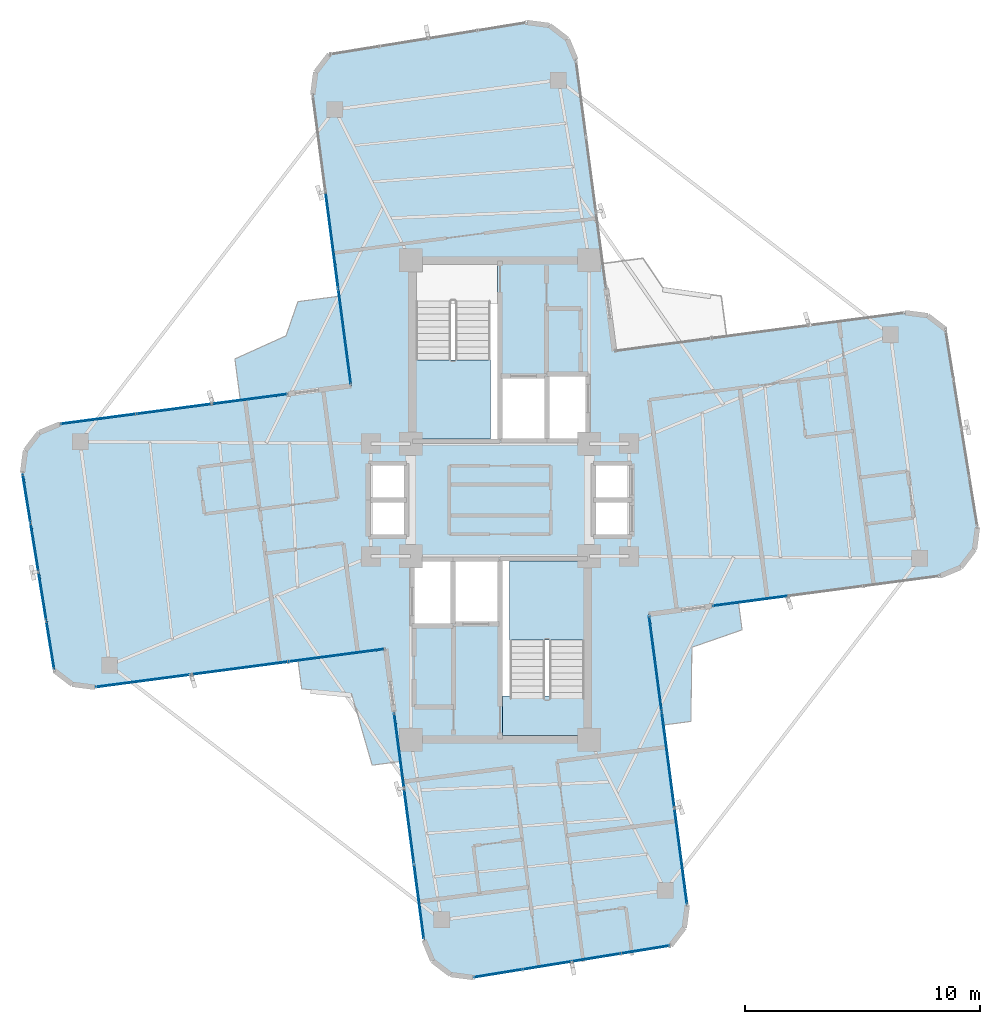
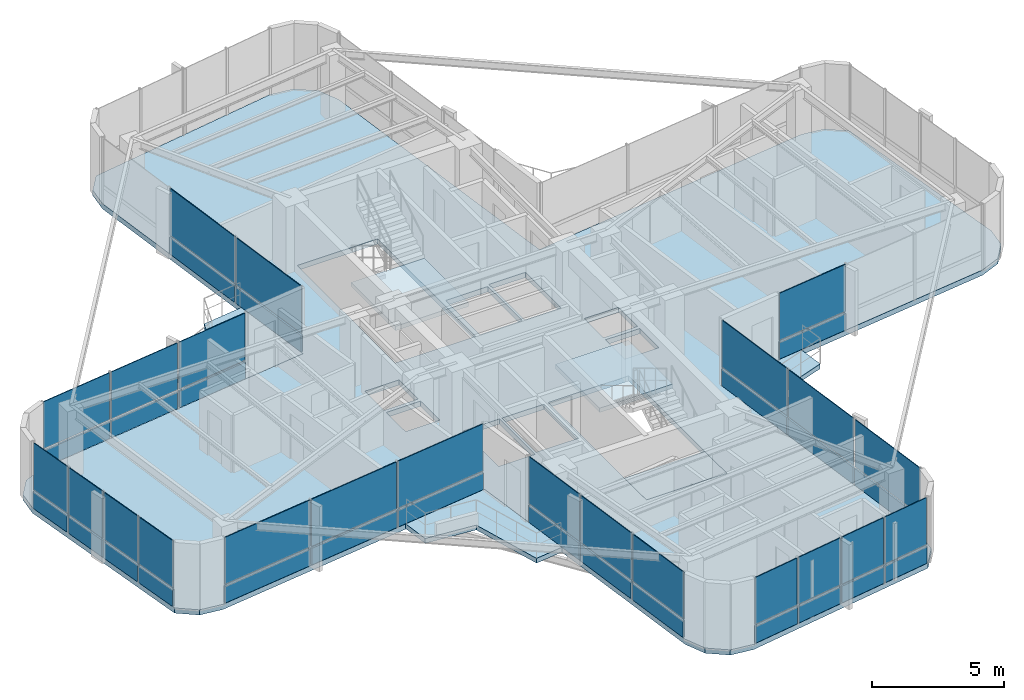
# One storey, part 16 of 21: 46 plates, 7 slabs, 10 elements without a shape of their own.
"""IFC4 building model written with IfcOpenShell, lengths in metres."""

from ifc_helpers import new_model, si_unit, direction, frame, origin, origin_2d, place, context, subcontext, project, spatial, polyline, rectangle, outline, extrude, source, transform, mapped, material, layer, layer_set, type_object, element, aggregate, save


model = new_model("IFC4")

# Units and contexts
model_context = context("Model", 3, precision=1e-05, world=origin(), true_north=direction((0.0, 1.0)))
body_context = subcontext(model_context, "Body", "Model", "MODEL_VIEW")
ifc_project = project(units=[si_unit("LENGTHUNIT", "METRE"), si_unit("AREAUNIT", "SQUARE_METRE"), si_unit("VOLUMEUNIT", "CUBIC_METRE"), si_unit("PLANEANGLEUNIT", "RADIAN"), si_unit("MASSUNIT", "GRAM", prefix="KILO")], contexts=[model_context])

# Site, building, storey
site_placement = place(None, origin())
site = spatial("IfcSite", under=ifc_project, at=site_placement, CompositionType="ELEMENT")
building_placement = place(site_placement, origin())
building = spatial("IfcBuilding", under=site, at=building_placement, Name="Sahyath Konkavel Grand Hotel", CompositionType="ELEMENT")
storey_placement = place(building_placement, frame((0.0, 0.0, 216.550048828125)))
storey = spatial("IfcBuildingStorey", under=building, at=storey_placement, Name="L60", CompositionType="ELEMENT", Elevation=216.550048828125)

# Slabs
ifc_material_1 = material(Name="Concrete C40/50", Category="concrete")
ifc_layer_1 = layer(ifc_material_1, 0.239990234375)
ifc_layer_set_1 = layer_set([ifc_layer_1], Name="Concrete C40/50")
slab_type_1 = type_object("IfcSlabType", Name="SLB-240", PredefinedType="FLOOR", material=ifc_layer_set_1)
slab_1_placement = place(storey_placement, frame((0.0, 0.0, -0.239990234375)))
element("IfcSlab", 1, at=slab_1_placement, inside=storey, type_object=slab_type_1, Name="L60 Structural Floor Slab", PredefinedType="FLOOR", context=body_context, shape_type="SweptSolid", body=[
    extrude(outline(polyline([(6.339111328125, -4.8642578125), (18.732177734375, -3.232666015625), (19.616943359375, -2.8662109375), (20.199951171875, -2.1064453125), (20.324951171875, -1.156982421875), (18.96630859375, 7.2626953125), (18.206787109375, 7.845703125), (17.25732421875, 7.970703125), (4.8642578125, 6.339111328125), (3.232666015625, 18.732177734375), (2.8662109375, 19.616943359375), (2.1064453125, 20.199951171875), (1.156982421875, 20.324951171875), (-7.2626953125, 18.96630859375), (-7.845703125, 18.206787109375), (-7.970703125, 17.25732421875), (-6.339111328125, 4.8642578125), (-18.732177734375, 3.232666015625), (-19.616943359375, 2.8662109375), (-20.199951171875, 2.1064453125), (-20.324951171875, 1.156982421875), (-18.96630859375, -7.2626953125), (-18.206787109375, -7.845703125), (-17.25732421875, -7.970703125), (-4.8642578125, -6.339111328125), (-3.232666015625, -18.732177734375), (-2.8662109375, -19.616943359375), (-2.1064453125, -20.199951171875), (-1.156982421875, -20.324951171875), (7.2626953125, -18.96630859375), (7.845703125, -18.206787109375), (7.970703125, -17.25732421875), (6.339111328125, -4.8642578125)]), holes=[polyline([(-3.6201171875, 2.580078125), (-0.10009765625, 2.580078125), (-0.10009765625, 10.02001953125), (-3.6201171875, 10.02001953125), (-3.6201171875, 2.580078125)]), polyline([(0.10009765625, -10.02001953125), (3.6201171875, -10.02001953125), (3.6201171875, -2.580078125), (0.10009765625, -2.580078125), (0.10009765625, -10.02001953125)]), polyline([(0.10009765625, 2.60009765625), (1.949951171875, 2.60009765625), (1.949951171875, 5.199951171875), (0.10009765625, 5.199951171875), (0.10009765625, 2.60009765625)]), polyline([(-1.949951171875, -5.199951171875), (-0.10009765625, -5.199951171875), (-0.10009765625, -2.60009765625), (-1.949951171875, -2.60009765625), (-1.949951171875, -5.199951171875)]), polyline([(2.050048828125, 2.60009765625), (3.64990234375, 2.60009765625), (3.64990234375, 5.300048828125), (2.050048828125, 5.300048828125), (2.050048828125, 2.60009765625)]), polyline([(-3.64990234375, -5.300048828125), (-2.050048828125, -5.300048828125), (-2.050048828125, -2.60009765625), (-3.64990234375, -2.60009765625), (-3.64990234375, -5.300048828125)]), polyline([(4.050048828125, 0.080078125), (5.550048828125, 0.080078125), (5.550048828125, 1.5400390625), (4.050048828125, 1.5400390625), (4.050048828125, 0.080078125)]), polyline([(4.050048828125, -1.5400390625), (5.550048828125, -1.5400390625), (5.550048828125, -0.080078125), (4.050048828125, -0.080078125), (4.050048828125, -1.5400390625)]), polyline([(-5.550048828125, 0.080078125), (-4.050048828125, 0.080078125), (-4.050048828125, 1.5400390625), (-5.550048828125, 1.5400390625), (-5.550048828125, 0.080078125)]), polyline([(-5.550048828125, -1.5400390625), (-4.050048828125, -1.5400390625), (-4.050048828125, -0.080078125), (-5.550048828125, -0.080078125), (-5.550048828125, -1.5400390625)])]), origin(), (0.0, 0.0, 1.0), 0.239990234375),
])
ifc_layer_2 = layer(ifc_material_1, 0.219970703125)
ifc_layer_set_2 = layer_set([ifc_layer_2], Name="Concrete C40/50")
slab_type_2 = type_object("IfcSlabType", Name="SLB-BALCONY-220", PredefinedType="FLOOR", material=ifc_layer_set_2)
slab_2_placement = place(storey_placement, frame((0.0, 0.0, -0.219970703125)))
element("IfcSlab", 2, at=slab_2_placement, inside=storey, type_object=slab_type_2, Name="L60 Winter-Garden Balcony NW", PredefinedType="FLOOR", context=body_context, shape_type="SweptSolid", body=[
    extrude(outline(polyline([(-6.339111328125, 4.8642578125), (-6.841064453125, 8.67626953125), (-8.602783203125, 8.4443359375), (-9.108154296875, 6.989013671875), (-11.285400390625, 6.00537109375), (-11.053466796875, 4.243408203125), (-6.339111328125, 4.8642578125)])), origin(), (0.0, 0.0, 1.0), 0.219970703125),
])
slab_3_placement = place(storey_placement, frame((0.0, 0.0, -0.219970703125)))
element("IfcSlab", 3, at=slab_3_placement, inside=storey, type_object=slab_type_2, Name="L60 Winter-Garden Balcony SW", PredefinedType="FLOOR", context=body_context, shape_type="SweptSolid", body=[
    extrude(outline(polyline([(-4.8642578125, -6.339111328125), (-8.60009765625, -6.8310546875), (-8.44091796875, -8.03955078125), (-6.32177734375, -8.238525390625), (-5.44189453125, -11.288818359375), (-4.2333984375, -11.1298828125), (-4.8642578125, -6.339111328125)])), origin(), (0.0, 0.0, 1.0), 0.219970703125),
])
slab_4_placement = place(storey_placement, frame((0.0, 0.0, -0.219970703125)))
element("IfcSlab", 4, at=slab_4_placement, inside=storey, type_object=slab_type_2, Name="L60 Winter-Garden Balcony SE", PredefinedType="FLOOR", context=body_context, shape_type="SweptSolid", body=[
    extrude(outline(polyline([(6.339111328125, -4.8642578125), (6.959716796875, -9.57861328125), (8.124755859375, -9.425048828125), (8.170166015625, -6.269287109375), (10.3046875, -5.52734375), (10.151123046875, -4.3623046875), (6.339111328125, -4.8642578125)])), origin(), (0.0, 0.0, 1.0), 0.219970703125),
])

# Stair, slab
stair_type = type_object("IfcStairType", Name="STR-ST16-335", PredefinedType="HALF_TURN_STAIR", material=ifc_material_1)
stair_1_placement = place(storey_placement, origin())
stair_1 = element("IfcStair", 5, at=stair_1_placement, inside=storey, type_object=stair_type, Name="L60 North Core Smokeproof Exit Stair ST-1", PredefinedType="HALF_TURN_STAIR")
ifc_layer_3 = layer(ifc_material_1, 0.199951171875)
ifc_layer_set_3 = layer_set([ifc_layer_3], Name="Concrete C40/50")
slab_type_3 = type_object("IfcSlabType", Name="SLB-STAIR-LND", PredefinedType="LANDING", material=ifc_layer_set_3)
slab_5_placement = place(storey_placement, frame((0.0, 0.0, 1.474853515625)))
slab_5 = element("IfcSlab", 6, at=slab_5_placement, type_object=slab_type_3, Name="ST-1 landing 1", PredefinedType="LANDING", context=body_context, shape_type="SweptSolid", body=[
    extrude(outline(polyline([(-3.60009765625, 5.9599609375), (-3.60009765625, 2.60009765625), (-0.39990234375, 2.60009765625), (-0.39990234375, 5.9599609375), (-3.60009765625, 5.9599609375)])), origin(), (0.0, 0.0, 1.0), 0.2001953125),
])
aggregate(stair_1, [slab_5])

stair_2_placement = place(storey_placement, origin())
stair_2 = element("IfcStair", 7, at=stair_2_placement, inside=storey, type_object=stair_type, Name="L60 South Core Smokeproof Exit Stair ST-2", PredefinedType="HALF_TURN_STAIR")
slab_6_placement = place(storey_placement, frame((0.0, 0.0, 1.474853515625)))
slab_6 = element("IfcSlab", 8, at=slab_6_placement, type_object=slab_type_3, Name="ST-2 landing 1", PredefinedType="LANDING", context=body_context, shape_type="SweptSolid", body=[
    extrude(outline(polyline([(3.60009765625, -5.9599609375), (3.60009765625, -2.60009765625), (0.39990234375, -2.60009765625), (0.39990234375, -5.9599609375), (3.60009765625, -5.9599609375)])), origin(), (0.0, 0.0, 1.0), 0.2001953125),
])
aggregate(stair_2, [slab_6])

# Slab
slab_7_placement = place(storey_placement, frame((0.0, 0.0, -0.199951171875)))
element("IfcSlab", 9, at=slab_7_placement, inside=storey, type_object=slab_type_3, Name="L60 Stair ST-2 Floor Landing Slab", PredefinedType="LANDING", context=body_context, shape_type="SweptSolid", body=[
    extrude(outline(polyline([(0.10009765625, -10.02001953125), (3.6201171875, -10.02001953125), (3.6201171875, -8.35009765625), (0.10009765625, -8.35009765625), (0.10009765625, -10.02001953125)])), origin(), (0.0, 0.0, 1.0), 0.199951171875),
])

# Curtain wall, plate
ifc_material_2 = material(Name="Anodised Bronze Aluminium & Low-E Glazing", Category="aluminium")
curtain_wall_type = type_object("IfcCurtainWallType", Name="CW-ZONE4", PredefinedType="NOTDEFINED", material=ifc_material_2)
curtain_wall_1_placement = place(storey_placement, origin())
curtain_wall_1 = element("IfcCurtainWall", 10, at=curtain_wall_1_placement, inside=storey, type_object=curtain_wall_type, Name="L60 Unitised Curtain Wall F0", PredefinedType="NOTDEFINED")
ifc_material_3 = material(Name="Warm Buff Sandstone Cladding", Category="masonry")
ifc_layer_4 = layer(ifc_material_3, 0.074951171875)
ifc_layer_set_4 = layer_set([ifc_layer_4], Name="Warm Buff Sandstone Cladding")
plate_type_1 = type_object("IfcPlateType", Name="PNL-SPANDREL-STONE", PredefinedType="SHEET", material=ifc_layer_set_4)
shared_shape_1 = source(origin(), body_context, "Body", "SweptSolid", [
    extrude(rectangle(XDim=3.159912109375, YDim=0.074951171875, at=origin_2d()), origin(), (0.0, 0.0, 1.0), 0.77001953125),
])
plate_1_placement = place(storey_placement, frame((10.661865234375, -4.295166015625, 0.0400390625), z_axis=(0.0, 0.0, 1.0), x_axis=(0.991444861374, 0.13052619222, 0.0)))
plate_1 = element("IfcPlate", 11, at=plate_1_placement, type_object=plate_type_1, Name="L60 Sandstone Relief Spandrel Panel F0-0", PredefinedType="SHEET", context=body_context, shape_type="MappedRepresentation", body=[
    mapped(shared_shape_1, transform((0.0, 0.0, 0.0), scale=1.0)),
])

# Curtain wall, plates
curtain_wall_2_placement = place(storey_placement, origin())
curtain_wall_2 = element("IfcCurtainWall", 12, at=curtain_wall_2_placement, inside=storey, type_object=curtain_wall_type, Name="L60 Unitised Curtain Wall F16", PredefinedType="NOTDEFINED")
plate_2_placement = place(storey_placement, frame((-10.661865234375, 4.295166015625, 0.0400390625), z_axis=(0.0, 0.0, 1.0), x_axis=(-0.991444861374, -0.13052619222, 0.0)))
plate_2 = element("IfcPlate", 13, at=plate_2_placement, type_object=plate_type_1, Name="L60 Sandstone Relief Spandrel Panel F16-0", PredefinedType="SHEET", context=body_context, shape_type="MappedRepresentation", body=[
    mapped(shared_shape_1, transform((0.0, 0.0, 0.0), scale=1.0)),
])
plate_3_placement = place(storey_placement, frame((-13.8740234375, 3.872314453125, 0.0400390625), z_axis=(0.0, 0.0, 1.0), x_axis=(-0.991444861374, -0.13052619222, 0.0)))
plate_3 = element("IfcPlate", 14, at=plate_3_placement, type_object=plate_type_1, Name="L60 Sandstone Relief Spandrel Panel F16-1", PredefinedType="SHEET", context=body_context, shape_type="MappedRepresentation", body=[
    mapped(shared_shape_1, transform((0.0, 0.0, 0.0), scale=1.0)),
])
plate_4_placement = place(storey_placement, frame((-17.086181640625, 3.44921875, 0.0400390625), z_axis=(0.0, 0.0, 1.0), x_axis=(-0.991444861374, -0.13052619222, 0.0)))
plate_4 = element("IfcPlate", 15, at=plate_4_placement, type_object=plate_type_1, Name="L60 Sandstone Relief Spandrel Panel F16-2", PredefinedType="SHEET", context=body_context, shape_type="MappedRepresentation", body=[
    mapped(shared_shape_1, transform((0.0, 0.0, 0.0), scale=1.0)),
])

curtain_wall_3_placement = place(storey_placement, origin())
curtain_wall_3 = element("IfcCurtainWall", 16, at=curtain_wall_3_placement, inside=storey, type_object=curtain_wall_type, Name="L60 Unitised Curtain Wall F24", PredefinedType="NOTDEFINED")
plate_5_placement = place(storey_placement, frame((-4.295166015625, -10.661865234375, 0.0400390625), z_axis=(0.0, 0.0, 1.0), x_axis=(0.13052619222, -0.991444861374, 0.0)))
plate_5 = element("IfcPlate", 17, at=plate_5_placement, type_object=plate_type_1, Name="L60 Sandstone Relief Spandrel Panel F24-0", PredefinedType="SHEET", context=body_context, shape_type="MappedRepresentation", body=[
    mapped(shared_shape_1, transform((0.0, 0.0, 0.0), scale=1.0)),
])
plate_6_placement = place(storey_placement, frame((-3.872314453125, -13.8740234375, 0.0400390625), z_axis=(0.0, 0.0, 1.0), x_axis=(0.13052619222, -0.991444861374, 0.0)))
plate_6 = element("IfcPlate", 18, at=plate_6_placement, type_object=plate_type_1, Name="L60 Sandstone Relief Spandrel Panel F24-1", PredefinedType="SHEET", context=body_context, shape_type="MappedRepresentation", body=[
    mapped(shared_shape_1, transform((0.0, 0.0, 0.0), scale=1.0)),
])
plate_7_placement = place(storey_placement, frame((-3.44921875, -17.086181640625, 0.0400390625), z_axis=(0.0, 0.0, 1.0), x_axis=(0.13052619222, -0.991444861374, 0.0)))
plate_7 = element("IfcPlate", 19, at=plate_7_placement, type_object=plate_type_1, Name="L60 Sandstone Relief Spandrel Panel F24-2", PredefinedType="SHEET", context=body_context, shape_type="MappedRepresentation", body=[
    mapped(shared_shape_1, transform((0.0, 0.0, 0.0), scale=1.0)),
])

# Plate
ifc_material_4 = material(Name="Low-E Solar Control Double Glazing", Category="glass")
ifc_layer_5 = layer(ifc_material_4, 0.035888671875)
ifc_layer_set_5 = layer_set([ifc_layer_5], Name="Low-E Solar Control Double Glazing")
plate_type_2 = type_object("IfcPlateType", Name="PNL-VISION-LOWE", PredefinedType="CURTAIN_PANEL", material=ifc_layer_set_5)
shared_shape_2 = source(origin(), body_context, "Body", "SweptSolid", [
    extrude(rectangle(XDim=3.159912109375, YDim=0.035888671875, at=origin_2d()), origin(), (0.0, 0.0, 1.0), 2.179931640625),
])
plate_8_placement = place(storey_placement, frame((10.661865234375, -4.295166015625, 0.89013671875), z_axis=(0.0, 0.0, 1.0), x_axis=(0.991444861374, 0.13052619222, 0.0)))
plate_8 = element("IfcPlate", 20, at=plate_8_placement, type_object=plate_type_2, Name="L60 Low-E Vision Glazing Panel F0-0", PredefinedType="CURTAIN_PANEL", context=body_context, shape_type="MappedRepresentation", body=[
    mapped(shared_shape_2, transform((0.0, 0.0, 0.0), scale=1.0)),
])

aggregate(curtain_wall_1, [plate_1, plate_8])

plate_9_placement = place(storey_placement, frame((-10.661865234375, 4.295166015625, 0.89013671875), z_axis=(0.0, 0.0, 1.0), x_axis=(-0.991444861374, -0.13052619222, 0.0)))
plate_9 = element("IfcPlate", 21, at=plate_9_placement, type_object=plate_type_2, Name="L60 Low-E Vision Glazing Panel F16-0", PredefinedType="CURTAIN_PANEL", context=body_context, shape_type="MappedRepresentation", body=[
    mapped(shared_shape_2, transform((0.0, 0.0, 0.0), scale=1.0)),
])

plate_10_placement = place(storey_placement, frame((-13.8740234375, 3.872314453125, 0.89013671875), z_axis=(0.0, 0.0, 1.0), x_axis=(-0.991444861374, -0.13052619222, 0.0)))
plate_10 = element("IfcPlate", 22, at=plate_10_placement, type_object=plate_type_2, Name="L60 Low-E Vision Glazing Panel F16-1", PredefinedType="CURTAIN_PANEL", context=body_context, shape_type="MappedRepresentation", body=[
    mapped(shared_shape_2, transform((0.0, 0.0, 0.0), scale=1.0)),
])

plate_11_placement = place(storey_placement, frame((-17.086181640625, 3.44921875, 0.89013671875), z_axis=(0.0, 0.0, 1.0), x_axis=(-0.991444861374, -0.13052619222, 0.0)))
plate_11 = element("IfcPlate", 23, at=plate_11_placement, type_object=plate_type_2, Name="L60 Low-E Vision Glazing Panel F16-2", PredefinedType="CURTAIN_PANEL", context=body_context, shape_type="MappedRepresentation", body=[
    mapped(shared_shape_2, transform((0.0, 0.0, 0.0), scale=1.0)),
])

aggregate(curtain_wall_2, [plate_2, plate_9, plate_3, plate_10, plate_4, plate_11])

plate_12_placement = place(storey_placement, frame((-4.295166015625, -10.661865234375, 0.89013671875), z_axis=(0.0, 0.0, 1.0), x_axis=(0.13052619222, -0.991444861374, 0.0)))
plate_12 = element("IfcPlate", 24, at=plate_12_placement, type_object=plate_type_2, Name="L60 Low-E Vision Glazing Panel F24-0", PredefinedType="CURTAIN_PANEL", context=body_context, shape_type="MappedRepresentation", body=[
    mapped(shared_shape_2, transform((0.0, 0.0, 0.0), scale=1.0)),
])

plate_13_placement = place(storey_placement, frame((-3.872314453125, -13.8740234375, 0.89013671875), z_axis=(0.0, 0.0, 1.0), x_axis=(0.13052619222, -0.991444861374, 0.0)))
plate_13 = element("IfcPlate", 25, at=plate_13_placement, type_object=plate_type_2, Name="L60 Low-E Vision Glazing Panel F24-1", PredefinedType="CURTAIN_PANEL", context=body_context, shape_type="MappedRepresentation", body=[
    mapped(shared_shape_2, transform((0.0, 0.0, 0.0), scale=1.0)),
])

plate_14_placement = place(storey_placement, frame((-3.44921875, -17.086181640625, 0.89013671875), z_axis=(0.0, 0.0, 1.0), x_axis=(0.13052619222, -0.991444861374, 0.0)))
plate_14 = element("IfcPlate", 26, at=plate_14_placement, type_object=plate_type_2, Name="L60 Low-E Vision Glazing Panel F24-2", PredefinedType="CURTAIN_PANEL", context=body_context, shape_type="MappedRepresentation", body=[
    mapped(shared_shape_2, transform((0.0, 0.0, 0.0), scale=1.0)),
])

aggregate(curtain_wall_3, [plate_5, plate_12, plate_6, plate_13, plate_7, plate_14])

# Curtain wall, plates
curtain_wall_4_placement = place(storey_placement, origin())
curtain_wall_4 = element("IfcCurtainWall", 27, at=curtain_wall_4_placement, inside=storey, type_object=curtain_wall_type, Name="L60 Unitised Curtain Wall F20", PredefinedType="NOTDEFINED")
shared_shape_3 = source(origin(), body_context, "Body", "SweptSolid", [
    extrude(rectangle(XDim=2.031982421875, YDim=0.074951171875, at=origin_2d()), origin(), (0.0, 0.0, 1.0), 0.77001953125),
])
plate_15_placement = place(storey_placement, frame((-20.150390625, 0.074951171875, 0.0400390625), z_axis=(0.0, 0.0, 1.0), x_axis=(0.159295381124, -0.98723096667, 0.0)))
plate_15 = element("IfcPlate", 28, at=plate_15_placement, type_object=plate_type_1, Name="L60 Sandstone Relief Spandrel Panel F20-0", PredefinedType="SHEET", context=body_context, shape_type="MappedRepresentation", body=[
    mapped(shared_shape_3, transform((0.0, 0.0, 0.0), scale=1.0)),
])
plate_16_placement = place(storey_placement, frame((-19.81396484375, -2.01025390625, 0.0400390625), z_axis=(0.0, 0.0, 1.0), x_axis=(0.159295381124, -0.98723096667, 0.0)))
plate_16 = element("IfcPlate", 29, at=plate_16_placement, type_object=plate_type_1, Name="L60 Sandstone Relief Spandrel Panel F20-1", PredefinedType="SHEET", context=body_context, shape_type="MappedRepresentation", body=[
    mapped(shared_shape_3, transform((0.0, 0.0, 0.0), scale=1.0)),
])
plate_17_placement = place(storey_placement, frame((-19.477294921875, -4.095458984375, 0.0400390625), z_axis=(0.0, 0.0, 1.0), x_axis=(0.159295381124, -0.98723096667, 0.0)))
plate_17 = element("IfcPlate", 30, at=plate_17_placement, type_object=plate_type_1, Name="L60 Sandstone Relief Spandrel Panel F20-2", PredefinedType="SHEET", context=body_context, shape_type="MappedRepresentation", body=[
    mapped(shared_shape_3, transform((0.0, 0.0, 0.0), scale=1.0)),
])
plate_18_placement = place(storey_placement, frame((-19.14111328125, -6.1806640625, 0.0400390625), z_axis=(0.0, 0.0, 1.0), x_axis=(0.159295381124, -0.98723096667, 0.0)))
plate_18 = element("IfcPlate", 31, at=plate_18_placement, type_object=plate_type_1, Name="L60 Sandstone Relief Spandrel Panel F20-3", PredefinedType="SHEET", context=body_context, shape_type="MappedRepresentation", body=[
    mapped(shared_shape_3, transform((0.0, 0.0, 0.0), scale=1.0)),
])

curtain_wall_5_placement = place(storey_placement, origin())
curtain_wall_5 = element("IfcCurtainWall", 32, at=curtain_wall_5_placement, inside=storey, type_object=curtain_wall_type, Name="L60 Unitised Curtain Wall F28", PredefinedType="NOTDEFINED")
plate_19_placement = place(storey_placement, frame((-0.074951171875, -20.150390625, 0.0400390625), z_axis=(0.0, 0.0, 1.0), x_axis=(0.98723096667, 0.159295381124, 0.0)))
plate_19 = element("IfcPlate", 33, at=plate_19_placement, type_object=plate_type_1, Name="L60 Sandstone Relief Spandrel Panel F28-0", PredefinedType="SHEET", context=body_context, shape_type="MappedRepresentation", body=[
    mapped(shared_shape_3, transform((0.0, 0.0, 0.0), scale=1.0)),
])
plate_20_placement = place(storey_placement, frame((2.01025390625, -19.81396484375, 0.0400390625), z_axis=(0.0, 0.0, 1.0), x_axis=(0.98723096667, 0.159295381124, 0.0)))
plate_20 = element("IfcPlate", 34, at=plate_20_placement, type_object=plate_type_1, Name="L60 Sandstone Relief Spandrel Panel F28-1", PredefinedType="SHEET", context=body_context, shape_type="MappedRepresentation", body=[
    mapped(shared_shape_3, transform((0.0, 0.0, 0.0), scale=1.0)),
])
plate_21_placement = place(storey_placement, frame((4.095458984375, -19.477294921875, 0.0400390625), z_axis=(0.0, 0.0, 1.0), x_axis=(0.98723096667, 0.159295381124, 0.0)))
plate_21 = element("IfcPlate", 35, at=plate_21_placement, type_object=plate_type_1, Name="L60 Sandstone Relief Spandrel Panel F28-2", PredefinedType="SHEET", context=body_context, shape_type="MappedRepresentation", body=[
    mapped(shared_shape_3, transform((0.0, 0.0, 0.0), scale=1.0)),
])
plate_22_placement = place(storey_placement, frame((6.1806640625, -19.14111328125, 0.0400390625), z_axis=(0.0, 0.0, 1.0), x_axis=(0.98723096667, 0.159295381124, 0.0)))
plate_22 = element("IfcPlate", 36, at=plate_22_placement, type_object=plate_type_1, Name="L60 Sandstone Relief Spandrel Panel F28-3", PredefinedType="SHEET", context=body_context, shape_type="MappedRepresentation", body=[
    mapped(shared_shape_3, transform((0.0, 0.0, 0.0), scale=1.0)),
])

# Plate
shared_shape_4 = source(origin(), body_context, "Body", "SweptSolid", [
    extrude(rectangle(XDim=2.031982421875, YDim=0.035888671875, at=origin_2d()), origin(), (0.0, 0.0, 1.0), 2.179931640625),
])
plate_23_placement = place(storey_placement, frame((-20.150390625, 0.074951171875, 0.89013671875), z_axis=(0.0, 0.0, 1.0), x_axis=(0.159295381124, -0.98723096667, 0.0)))
plate_23 = element("IfcPlate", 37, at=plate_23_placement, type_object=plate_type_2, Name="L60 Low-E Vision Glazing Panel F20-0", PredefinedType="CURTAIN_PANEL", context=body_context, shape_type="MappedRepresentation", body=[
    mapped(shared_shape_4, transform((0.0, 0.0, 0.0), scale=1.0)),
])

plate_24_placement = place(storey_placement, frame((-19.81396484375, -2.01025390625, 0.89013671875), z_axis=(0.0, 0.0, 1.0), x_axis=(0.159295381124, -0.98723096667, 0.0)))
plate_24 = element("IfcPlate", 38, at=plate_24_placement, type_object=plate_type_2, Name="L60 Low-E Vision Glazing Panel F20-1", PredefinedType="CURTAIN_PANEL", context=body_context, shape_type="MappedRepresentation", body=[
    mapped(shared_shape_4, transform((0.0, 0.0, 0.0), scale=1.0)),
])

plate_25_placement = place(storey_placement, frame((-19.477294921875, -4.095458984375, 0.89013671875), z_axis=(0.0, 0.0, 1.0), x_axis=(0.159295381124, -0.98723096667, 0.0)))
plate_25 = element("IfcPlate", 39, at=plate_25_placement, type_object=plate_type_2, Name="L60 Low-E Vision Glazing Panel F20-2", PredefinedType="CURTAIN_PANEL", context=body_context, shape_type="MappedRepresentation", body=[
    mapped(shared_shape_4, transform((0.0, 0.0, 0.0), scale=1.0)),
])

plate_26_placement = place(storey_placement, frame((-19.14111328125, -6.1806640625, 0.89013671875), z_axis=(0.0, 0.0, 1.0), x_axis=(0.159295381124, -0.98723096667, 0.0)))
plate_26 = element("IfcPlate", 40, at=plate_26_placement, type_object=plate_type_2, Name="L60 Low-E Vision Glazing Panel F20-3", PredefinedType="CURTAIN_PANEL", context=body_context, shape_type="MappedRepresentation", body=[
    mapped(shared_shape_4, transform((0.0, 0.0, 0.0), scale=1.0)),
])

aggregate(curtain_wall_4, [plate_15, plate_23, plate_16, plate_24, plate_17, plate_25, plate_18, plate_26])

plate_27_placement = place(storey_placement, frame((-0.074951171875, -20.150390625, 0.89013671875), z_axis=(0.0, 0.0, 1.0), x_axis=(0.98723096667, 0.159295381124, 0.0)))
plate_27 = element("IfcPlate", 41, at=plate_27_placement, type_object=plate_type_2, Name="L60 Low-E Vision Glazing Panel F28-0", PredefinedType="CURTAIN_PANEL", context=body_context, shape_type="MappedRepresentation", body=[
    mapped(shared_shape_4, transform((0.0, 0.0, 0.0), scale=1.0)),
])

plate_28_placement = place(storey_placement, frame((2.01025390625, -19.81396484375, 0.89013671875), z_axis=(0.0, 0.0, 1.0), x_axis=(0.98723096667, 0.159295381124, 0.0)))
plate_28 = element("IfcPlate", 42, at=plate_28_placement, type_object=plate_type_2, Name="L60 Low-E Vision Glazing Panel F28-1", PredefinedType="CURTAIN_PANEL", context=body_context, shape_type="MappedRepresentation", body=[
    mapped(shared_shape_4, transform((0.0, 0.0, 0.0), scale=1.0)),
])

plate_29_placement = place(storey_placement, frame((4.095458984375, -19.477294921875, 0.89013671875), z_axis=(0.0, 0.0, 1.0), x_axis=(0.98723096667, 0.159295381124, 0.0)))
plate_29 = element("IfcPlate", 43, at=plate_29_placement, type_object=plate_type_2, Name="L60 Low-E Vision Glazing Panel F28-2", PredefinedType="CURTAIN_PANEL", context=body_context, shape_type="MappedRepresentation", body=[
    mapped(shared_shape_4, transform((0.0, 0.0, 0.0), scale=1.0)),
])

plate_30_placement = place(storey_placement, frame((6.1806640625, -19.14111328125, 0.89013671875), z_axis=(0.0, 0.0, 1.0), x_axis=(0.98723096667, 0.159295381124, 0.0)))
plate_30 = element("IfcPlate", 44, at=plate_30_placement, type_object=plate_type_2, Name="L60 Low-E Vision Glazing Panel F28-3", PredefinedType="CURTAIN_PANEL", context=body_context, shape_type="MappedRepresentation", body=[
    mapped(shared_shape_4, transform((0.0, 0.0, 0.0), scale=1.0)),
])

aggregate(curtain_wall_5, [plate_19, plate_27, plate_20, plate_28, plate_21, plate_29, plate_22, plate_30])

# Curtain wall, plates
curtain_wall_6_placement = place(storey_placement, origin())
curtain_wall_6 = element("IfcCurtainWall", 45, at=curtain_wall_6_placement, inside=storey, type_object=curtain_wall_type, Name="L60 Unitised Curtain Wall F15", PredefinedType="NOTDEFINED")
shared_shape_5 = source(origin(), body_context, "Body", "SweptSolid", [
    extrude(rectangle(XDim=4.06005859375, YDim=0.074951171875, at=origin_2d()), origin(), (0.0, 0.0, 1.0), 0.77001953125),
])
plate_31_placement = place(storey_placement, frame((-7.15478515625, 11.060791015625, 0.0400390625), z_axis=(0.0, 0.0, 1.0), x_axis=(0.13052619222, -0.991444861374, 0.0)))
plate_31 = element("IfcPlate", 46, at=plate_31_placement, type_object=plate_type_1, Name="L60 Sandstone Relief Spandrel Panel F15-1", PredefinedType="SHEET", context=body_context, shape_type="MappedRepresentation", body=[
    mapped(shared_shape_5, transform((0.0, 0.0, 0.0), scale=1.0)),
])
plate_32_placement = place(storey_placement, frame((-6.614501953125, 6.956298828125, 0.0400390625), z_axis=(0.0, 0.0, 1.0), x_axis=(0.13052619222, -0.991444861374, 0.0)))
plate_32 = element("IfcPlate", 47, at=plate_32_placement, type_object=plate_type_1, Name="L60 Sandstone Relief Spandrel Panel F15-2", PredefinedType="SHEET", context=body_context, shape_type="MappedRepresentation", body=[
    mapped(shared_shape_5, transform((0.0, 0.0, 0.0), scale=1.0)),
])

curtain_wall_7_placement = place(storey_placement, origin())
curtain_wall_7 = element("IfcCurtainWall", 48, at=curtain_wall_7_placement, inside=storey, type_object=curtain_wall_type, Name="L60 Unitised Curtain Wall F23", PredefinedType="NOTDEFINED")
plate_33_placement = place(storey_placement, frame((-15.165283203125, -7.6953125, 0.0400390625), z_axis=(0.0, 0.0, 1.0), x_axis=(0.991444861374, 0.13052619222, 0.0)))
plate_33 = element("IfcPlate", 49, at=plate_33_placement, type_object=plate_type_1, Name="L60 Sandstone Relief Spandrel Panel F23-0", PredefinedType="SHEET", context=body_context, shape_type="MappedRepresentation", body=[
    mapped(shared_shape_5, transform((0.0, 0.0, 0.0), scale=1.0)),
])
plate_34_placement = place(storey_placement, frame((-11.060791015625, -7.15478515625, 0.0400390625), z_axis=(0.0, 0.0, 1.0), x_axis=(0.991444861374, 0.13052619222, 0.0)))
plate_34 = element("IfcPlate", 50, at=plate_34_placement, type_object=plate_type_1, Name="L60 Sandstone Relief Spandrel Panel F23-1", PredefinedType="SHEET", context=body_context, shape_type="MappedRepresentation", body=[
    mapped(shared_shape_5, transform((0.0, 0.0, 0.0), scale=1.0)),
])
plate_35_placement = place(storey_placement, frame((-6.956298828125, -6.614501953125, 0.0400390625), z_axis=(0.0, 0.0, 1.0), x_axis=(0.991444861374, 0.13052619222, 0.0)))
plate_35 = element("IfcPlate", 51, at=plate_35_placement, type_object=plate_type_1, Name="L60 Sandstone Relief Spandrel Panel F23-2", PredefinedType="SHEET", context=body_context, shape_type="MappedRepresentation", body=[
    mapped(shared_shape_5, transform((0.0, 0.0, 0.0), scale=1.0)),
])

curtain_wall_8_placement = place(storey_placement, origin())
curtain_wall_8 = element("IfcCurtainWall", 52, at=curtain_wall_8_placement, inside=storey, type_object=curtain_wall_type, Name="L60 Unitised Curtain Wall F31", PredefinedType="NOTDEFINED")
plate_36_placement = place(storey_placement, frame((7.6953125, -15.165283203125, 0.0400390625), z_axis=(0.0, 0.0, 1.0), x_axis=(-0.13052619222, 0.991444861374, 0.0)))
plate_36 = element("IfcPlate", 53, at=plate_36_placement, type_object=plate_type_1, Name="L60 Sandstone Relief Spandrel Panel F31-0", PredefinedType="SHEET", context=body_context, shape_type="MappedRepresentation", body=[
    mapped(shared_shape_5, transform((0.0, 0.0, 0.0), scale=1.0)),
])
plate_37_placement = place(storey_placement, frame((7.15478515625, -11.060791015625, 0.0400390625), z_axis=(0.0, 0.0, 1.0), x_axis=(-0.13052619222, 0.991444861374, 0.0)))
plate_37 = element("IfcPlate", 54, at=plate_37_placement, type_object=plate_type_1, Name="L60 Sandstone Relief Spandrel Panel F31-1", PredefinedType="SHEET", context=body_context, shape_type="MappedRepresentation", body=[
    mapped(shared_shape_5, transform((0.0, 0.0, 0.0), scale=1.0)),
])
plate_38_placement = place(storey_placement, frame((6.614501953125, -6.956298828125, 0.0400390625), z_axis=(0.0, 0.0, 1.0), x_axis=(-0.13052619222, 0.991444861374, 0.0)))
plate_38 = element("IfcPlate", 55, at=plate_38_placement, type_object=plate_type_1, Name="L60 Sandstone Relief Spandrel Panel F31-2", PredefinedType="SHEET", context=body_context, shape_type="MappedRepresentation", body=[
    mapped(shared_shape_5, transform((0.0, 0.0, 0.0), scale=1.0)),
])

# Plate
shared_shape_6 = source(origin(), body_context, "Body", "SweptSolid", [
    extrude(rectangle(XDim=4.06005859375, YDim=0.035888671875, at=origin_2d()), origin(), (0.0, 0.0, 1.0), 2.179931640625),
])
plate_39_placement = place(storey_placement, frame((-7.15478515625, 11.060791015625, 0.89013671875), z_axis=(0.0, 0.0, 1.0), x_axis=(0.13052619222, -0.991444861374, 0.0)))
plate_39 = element("IfcPlate", 56, at=plate_39_placement, type_object=plate_type_2, Name="L60 Low-E Vision Glazing Panel F15-1", PredefinedType="CURTAIN_PANEL", context=body_context, shape_type="MappedRepresentation", body=[
    mapped(shared_shape_6, transform((0.0, 0.0, 0.0), scale=1.0)),
])

plate_40_placement = place(storey_placement, frame((-6.614501953125, 6.956298828125, 0.89013671875), z_axis=(0.0, 0.0, 1.0), x_axis=(0.13052619222, -0.991444861374, 0.0)))
plate_40 = element("IfcPlate", 57, at=plate_40_placement, type_object=plate_type_2, Name="L60 Low-E Vision Glazing Panel F15-2", PredefinedType="CURTAIN_PANEL", context=body_context, shape_type="MappedRepresentation", body=[
    mapped(shared_shape_6, transform((0.0, 0.0, 0.0), scale=1.0)),
])

aggregate(curtain_wall_6, [plate_31, plate_39, plate_32, plate_40])

plate_41_placement = place(storey_placement, frame((-15.165283203125, -7.6953125, 0.89013671875), z_axis=(0.0, 0.0, 1.0), x_axis=(0.991444861374, 0.13052619222, 0.0)))
plate_41 = element("IfcPlate", 58, at=plate_41_placement, type_object=plate_type_2, Name="L60 Low-E Vision Glazing Panel F23-0", PredefinedType="CURTAIN_PANEL", context=body_context, shape_type="MappedRepresentation", body=[
    mapped(shared_shape_6, transform((0.0, 0.0, 0.0), scale=1.0)),
])

plate_42_placement = place(storey_placement, frame((-11.060791015625, -7.15478515625, 0.89013671875), z_axis=(0.0, 0.0, 1.0), x_axis=(0.991444861374, 0.13052619222, 0.0)))
plate_42 = element("IfcPlate", 59, at=plate_42_placement, type_object=plate_type_2, Name="L60 Low-E Vision Glazing Panel F23-1", PredefinedType="CURTAIN_PANEL", context=body_context, shape_type="MappedRepresentation", body=[
    mapped(shared_shape_6, transform((0.0, 0.0, 0.0), scale=1.0)),
])

plate_43_placement = place(storey_placement, frame((-6.956298828125, -6.614501953125, 0.89013671875), z_axis=(0.0, 0.0, 1.0), x_axis=(0.991444861374, 0.13052619222, 0.0)))
plate_43 = element("IfcPlate", 60, at=plate_43_placement, type_object=plate_type_2, Name="L60 Low-E Vision Glazing Panel F23-2", PredefinedType="CURTAIN_PANEL", context=body_context, shape_type="MappedRepresentation", body=[
    mapped(shared_shape_6, transform((0.0, 0.0, 0.0), scale=1.0)),
])

aggregate(curtain_wall_7, [plate_33, plate_41, plate_34, plate_42, plate_35, plate_43])

plate_44_placement = place(storey_placement, frame((7.6953125, -15.165283203125, 0.89013671875), z_axis=(0.0, 0.0, 1.0), x_axis=(-0.13052619222, 0.991444861374, 0.0)))
plate_44 = element("IfcPlate", 61, at=plate_44_placement, type_object=plate_type_2, Name="L60 Low-E Vision Glazing Panel F31-0", PredefinedType="CURTAIN_PANEL", context=body_context, shape_type="MappedRepresentation", body=[
    mapped(shared_shape_6, transform((0.0, 0.0, 0.0), scale=1.0)),
])

plate_45_placement = place(storey_placement, frame((7.15478515625, -11.060791015625, 0.89013671875), z_axis=(0.0, 0.0, 1.0), x_axis=(-0.13052619222, 0.991444861374, 0.0)))
plate_45 = element("IfcPlate", 62, at=plate_45_placement, type_object=plate_type_2, Name="L60 Low-E Vision Glazing Panel F31-1", PredefinedType="CURTAIN_PANEL", context=body_context, shape_type="MappedRepresentation", body=[
    mapped(shared_shape_6, transform((0.0, 0.0, 0.0), scale=1.0)),
])

plate_46_placement = place(storey_placement, frame((6.614501953125, -6.956298828125, 0.89013671875), z_axis=(0.0, 0.0, 1.0), x_axis=(-0.13052619222, 0.991444861374, 0.0)))
plate_46 = element("IfcPlate", 63, at=plate_46_placement, type_object=plate_type_2, Name="L60 Low-E Vision Glazing Panel F31-2", PredefinedType="CURTAIN_PANEL", context=body_context, shape_type="MappedRepresentation", body=[
    mapped(shared_shape_6, transform((0.0, 0.0, 0.0), scale=1.0)),
])

aggregate(curtain_wall_8, [plate_36, plate_44, plate_37, plate_45, plate_38, plate_46])

save(model, "model.ifc")
